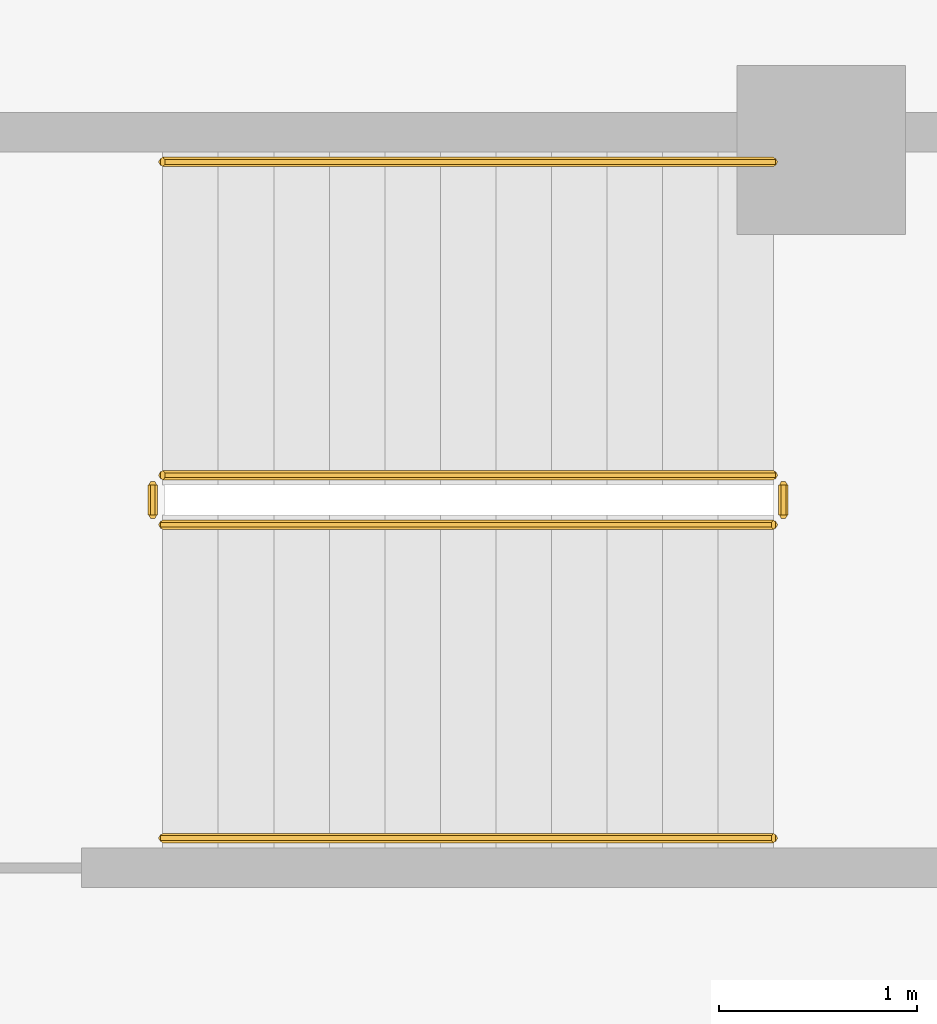
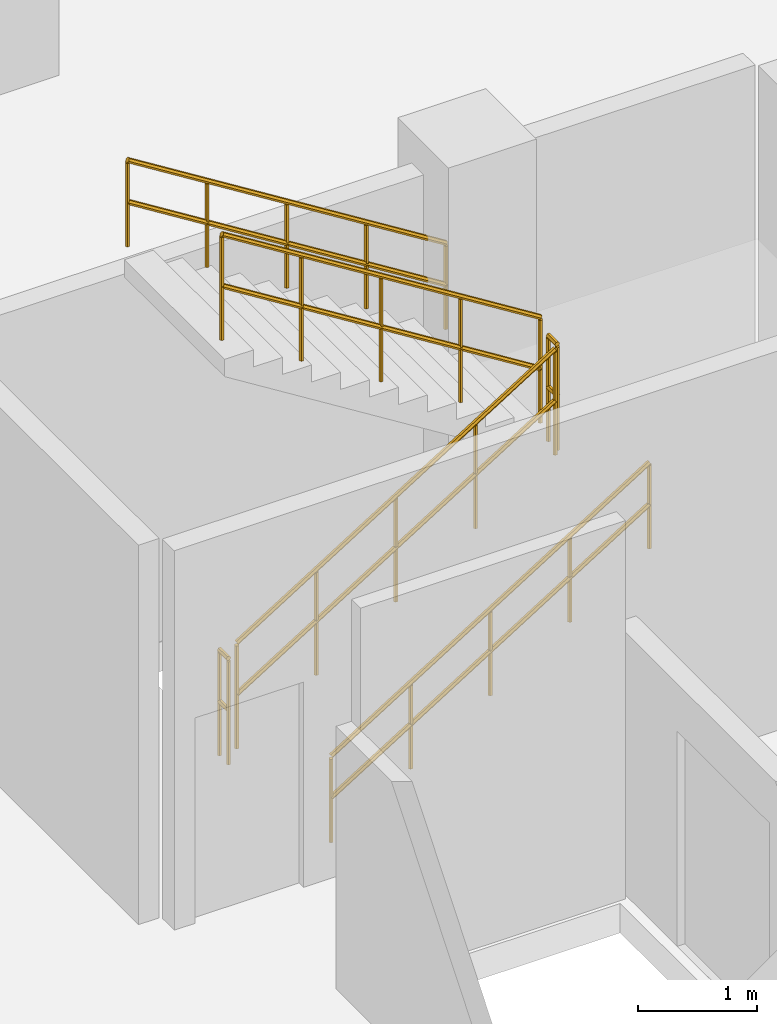
# One storey, part 20 of 20: 6 railings.
"""IFC4 building model written with IfcOpenShell, lengths in metres."""

import ifcopenshell
import ifcopenshell.guid

model = None  # the IFC model being written
_history = None  # IfcOwnerHistory: only IFC2X3 demands one
_inside = {}  # id of a spatial element -> (the spatial element, [elements in it])
_under = {}  # id of a project, library or spatial element -> (it, [spatial elements below it])
_declared = {}  # id of a project -> (the project, [libraries it declares])
_typed = {}  # id of a type object -> (the type object, [elements of that type])
_made_of = {}  # id of a material, layer set ... -> (it, [elements and type objects made of it])


def new_model(schema):
    """Start an empty IFC model of exactly this schema.

    Asked for "IFC4X3", IfcOpenShell would pick the latest addendum, in which some entities
    have other attributes; the version numbers below select the first issue.
    IFC2X3 requires an IfcOwnerHistory on every rooted entity: one is made here for all.
    """
    global model, _history
    if schema == "IFC4X3":
        model = ifcopenshell.file(schema_version=(4, 3, 0, 0))
    else:
        model = ifcopenshell.file(schema=schema)
    _inside.clear()
    _under.clear()
    _declared.clear()
    _typed.clear()
    _made_of.clear()
    _history = None
    if model.schema == "IFC2X3":
        org = make("IfcOrganization", Name="unknown")
        user = make(
            "IfcPersonAndOrganization",
            ThePerson=make("IfcPerson", FamilyName="unknown"),
            TheOrganization=org,
        )
        app = make(
            "IfcApplication",
            ApplicationDeveloper=org,
            Version="unknown",
            ApplicationFullName="unknown",
            ApplicationIdentifier="unknown",
        )
        _history = make(
            "IfcOwnerHistory",
            OwningUser=user,
            OwningApplication=app,
            ChangeAction="ADDED",
            CreationDate=0,
        )
    return model


def make(cls, **values):
    """One entity of the class cls with the attributes given. An attribute that is None is left unset."""
    return model.create_entity(
        cls, **{name: value for name, value in values.items() if value is not None}
    )


def rooted(cls, **values):
    """An entity with a GlobalId (a new one), such as an element, a storey or a relation."""
    return make(cls, GlobalId=ifcopenshell.guid.new(), OwnerHistory=_history, **values)


def si_unit(unit_type, name, prefix=None):
    """IfcSIUnit, for example si_unit("LENGTHUNIT", "METRE", prefix="MILLI")."""
    return make("IfcSIUnit", UnitType=unit_type, Prefix=prefix, Name=name)


def assignment(units):
    """IfcUnitAssignment: the units of a project."""
    return None if units is None else make("IfcUnitAssignment", Units=units)


def point(xyz):
    """IfcCartesianPoint."""
    return None if xyz is None else make("IfcCartesianPoint", Coordinates=xyz)


def direction(xyz):
    """IfcDirection."""
    return None if xyz is None else make("IfcDirection", DirectionRatios=xyz)


def frame(location, z_axis=None, x_axis=None):
    """IfcAxis2Placement3D, a coordinate frame: its origin and axes. An axis left out is left unset."""
    return make(
        "IfcAxis2Placement3D",
        Location=point(location),
        Axis=direction(z_axis),
        RefDirection=direction(x_axis),
    )


def origin():
    """The frame at (0, 0, 0) with its axes left unset."""
    return frame((0.0, 0.0, 0.0))


def place(relative_to, where):
    """IfcLocalPlacement: puts the frame where relative to a parent placement (None: the world)."""
    return make(
        "IfcLocalPlacement", PlacementRelTo=relative_to, RelativePlacement=where
    )


def context(
    kind, dimensions, precision=None, world=None, true_north=None, identifier=None
):
    """IfcGeometricRepresentationContext, for example the 3D "Model" context."""
    return make(
        "IfcGeometricRepresentationContext",
        ContextIdentifier=identifier,
        ContextType=kind,
        CoordinateSpaceDimension=dimensions,
        Precision=precision,
        WorldCoordinateSystem=world,
        TrueNorth=true_north,
    )


def subcontext(parent, identifier, kind, view, scale=None):
    """IfcGeometricRepresentationSubContext, for example "Body" below "Model"."""
    return make(
        "IfcGeometricRepresentationSubContext",
        ContextIdentifier=identifier,
        ContextType=kind,
        ParentContext=parent,
        TargetScale=scale,
        TargetView=view,
    )


def project(units=None, contexts=None):
    """IfcProject with its units and contexts."""
    return rooted(
        "IfcProject",
        Name="project",
        RepresentationContexts=contexts,
        UnitsInContext=assignment(units),
    )


def spatial(cls, under=None, at=None, **own):
    """A site, building, storey or space (cls), placed at a placement, below another one or the project."""
    s = rooted(cls, ObjectPlacement=at, **own)
    if under is not None:
        _under.setdefault(under.id(), (under, []))[1].append(s)
    return s


def polyline(points):
    """IfcPolyline through the points."""
    return make("IfcPolyline", Points=[point(p) for p in points])


def outline(outer, holes=None, kind="AREA"):
    """IfcArbitraryClosedProfileDef: a profile drawn as a closed curve; with holes, ...WithVoids."""
    if holes is None:
        return make("IfcArbitraryClosedProfileDef", ProfileType=kind, OuterCurve=outer)
    return make(
        "IfcArbitraryProfileDefWithVoids",
        ProfileType=kind,
        OuterCurve=outer,
        InnerCurves=holes,
    )


def extrude(swept, where, along, depth):
    """IfcExtrudedAreaSolid: the profile swept, set in the frame where, extruded along a direction by depth."""
    return make(
        "IfcExtrudedAreaSolid",
        SweptArea=swept,
        Position=where,
        ExtrudedDirection=direction(along),
        Depth=depth,
    )


def shape(context_of_items, identifier, shape_type, items):
    """IfcShapeRepresentation: the items that make up one representation, for example the "Body"."""
    return make(
        "IfcShapeRepresentation",
        ContextOfItems=context_of_items,
        RepresentationIdentifier=identifier,
        RepresentationType=shape_type,
        Items=items,
    )


def material(Name=None, Category=None):
    """IfcMaterial."""
    return make("IfcMaterial", Name=Name, Category=Category)


def made_of(thing, what):
    """Note that an element or type object is made of a material, layer set ...; save() writes the relation."""
    if what is not None:
        _made_of.setdefault(what.id(), (what, []))[1].append(thing)
    return thing


def type_object(cls, material=None, **own):
    """A type object (cls), such as IfcWallType, which elements share."""
    return made_of(rooted(cls, **own), material)


def element(
    cls,
    number,
    at=None,
    inside=None,
    cuts=None,
    type_object=None,
    material=None,
    context=None,
    identifier="Body",
    shape_type=None,
    held_by="IfcProductDefinitionShape",
    body=None,
    shapes=None,
    **own,
):
    """One element of the class cls, such as IfcWall. Its Tag is "e" and its number.

    at: its placement. inside: the storey or other place that contains it. cuts: it is an
    opening in that element (IfcRelVoidsElement). A single representation is given by context,
    identifier, shape_type and body (its items); several are given by shapes. held_by: the class
    of the entity that holds the representations. save() writes the other relations.
    """
    e = rooted(cls, Tag="e%d" % number, ObjectPlacement=at, **own)
    if body is not None:
        shapes = [shape(context, identifier, shape_type, body)]
    if shapes is not None:
        e.Representation = make(held_by, Representations=shapes)
    if inside is not None:
        _inside.setdefault(inside.id(), (inside, []))[1].append(e)
    if cuts is not None:
        rooted(
            "IfcRelVoidsElement", RelatingBuildingElement=cuts, RelatedOpeningElement=e
        )
    if type_object is not None:
        _typed.setdefault(type_object.id(), (type_object, []))[1].append(e)
    return made_of(e, material)


def aggregate(whole, parts):
    """IfcRelAggregates: a whole, such as a stair, and the parts it consists of."""
    return rooted("IfcRelAggregates", RelatingObject=whole, RelatedObjects=parts)


def save(model, path):
    """Write the relations noted so far, then the file.

    IfcRelAggregates (storeys below a building ...), IfcRelContainedInSpatialStructure (elements
    in a storey), IfcRelDefinesByType, IfcRelAssociatesMaterial and IfcRelDeclares: one each for
    every whole, place, type object, material and project.
    """
    for whole, parts in _under.values():
        aggregate(whole, parts)
    for where, things in _inside.values():
        rooted(
            "IfcRelContainedInSpatialStructure",
            RelatedElements=things,
            RelatingStructure=where,
        )
    for kind, things in _typed.values():
        rooted("IfcRelDefinesByType", RelatedObjects=things, RelatingType=kind)
    for what, things in _made_of.values():
        rooted("IfcRelAssociatesMaterial", RelatedObjects=things, RelatingMaterial=what)
    for by, libraries in _declared.values():
        rooted("IfcRelDeclares", RelatingContext=by, RelatedDefinitions=libraries)
    model.write(path)


model = new_model("IFC4")

# Units and contexts
model_context = context("Model", 3, precision=1e-05, world=origin(), true_north=direction((0.0, 1.0)))
body_context = subcontext(model_context, "Body", "Model", "MODEL_VIEW")
ifc_project = project(units=[si_unit("LENGTHUNIT", "METRE"), si_unit("AREAUNIT", "SQUARE_METRE"), si_unit("VOLUMEUNIT", "CUBIC_METRE"), si_unit("PLANEANGLEUNIT", "RADIAN"), si_unit("MASSUNIT", "GRAM", prefix="KILO")], contexts=[model_context])

# Site, building, storey
site_placement = place(None, origin())
site = spatial("IfcSite", under=ifc_project, at=site_placement, CompositionType="ELEMENT")
building_placement = place(site_placement, origin())
building = spatial("IfcBuilding", under=site, at=building_placement, Name="Kelanora Arch Commons", CompositionType="ELEMENT")
storey_placement = place(building_placement, frame((0.0, 0.0, -4.199951171875)))
storey = spatial("IfcBuildingStorey", under=building, at=storey_placement, Name="B01", CompositionType="ELEMENT", Elevation=-4.199951171875)

# Railings
ifc_material_1 = material(Name="Painted steel stair well guard", Category="steel")
railing_type_1 = type_object("IfcRailingType", Name="RAIL-STAIR-GRD", PredefinedType="GUARDRAIL", material=ifc_material_1)
railing_1_placement = place(storey_placement, frame((8.679931640625, 72.110107421875, 0.175048828125)))
element("IfcRailing", 1, at=railing_1_placement, inside=storey, type_object=railing_type_1, Name="B01 ST-M3 stair guard 1", PredefinedType="GUARDRAIL", context=body_context, shape_type="SweptSolid", body=[
    extrude(outline(polyline([(0.02392578125, 0.0), (0.011962890625, 0.020751953125), (-0.011962890625, 0.020751953125), (-0.02392578125, 0.0), (-0.011962890625, -0.020751953125), (0.011962890625, -0.020751953125), (0.02392578125, 0.0)])), frame((0.0, 0.0, 1.076171875), z_axis=(0.848028513186, 0.0, 0.529950602248), x_axis=(0.0, 1.0, 0.0)), (0.0, 0.0, 1.0), 3.632080078125),
    extrude(outline(polyline([(0.02392578125, 0.0), (0.011962890625, 0.020751953125), (-0.011962890625, 0.020751953125), (-0.02392578125, 0.0), (-0.011962890625, -0.020751953125), (0.011962890625, -0.020751953125), (0.02392578125, 0.0)])), frame((0.0, 0.0, 0.550048828125), z_axis=(0.848028513186, 0.0, 0.529950602248), x_axis=(0.0, 1.0, 0.0)), (0.0, 0.0, 1.0), 3.632080078125),
    extrude(outline(polyline([(0.02099609375, 0.0), (0.010498046875, 0.01806640625), (-0.010498046875, 0.01806640625), (-0.02099609375, 0.0), (-0.010498046875, -0.01806640625), (0.010498046875, -0.01806640625), (0.02099609375, 0.0)])), origin(), (0.0, 0.0, 1.0), 1.052001953125),
    extrude(outline(polyline([(0.02099609375, 0.0), (0.010498046875, 0.01806640625), (-0.010498046875, 0.01806640625), (-0.02099609375, 0.0), (-0.010498046875, -0.01806640625), (0.010498046875, -0.01806640625), (0.02099609375, 0.0)])), frame((0.77001953125, 0.0, 0.481201171875)), (0.0, 0.0, 1.0), 1.052001953125),
    extrude(outline(polyline([(0.02099609375, 0.0), (0.010498046875, 0.01806640625), (-0.010498046875, 0.01806640625), (-0.02099609375, 0.0), (-0.010498046875, -0.01806640625), (0.010498046875, -0.01806640625), (0.02099609375, 0.0)])), frame((1.5400390625, 0.0, 0.96240234375)), (0.0, 0.0, 1.0), 1.052001953125),
    extrude(outline(polyline([(0.02099609375, 0.0), (0.010498046875, 0.01806640625), (-0.010498046875, 0.01806640625), (-0.02099609375, 0.0), (-0.010498046875, -0.01806640625), (0.010498046875, -0.01806640625), (0.02099609375, 0.0)])), frame((2.31005859375, 0.0, 1.443603515625)), (0.0, 0.0, 1.0), 1.052001953125),
    extrude(outline(polyline([(0.02099609375, 0.0), (0.010498046875, 0.01806640625), (-0.010498046875, 0.01806640625), (-0.02099609375, 0.0), (-0.010498046875, -0.01806640625), (0.010498046875, -0.01806640625), (0.02099609375, 0.0)])), frame((3.080078125, 0.0, 1.9248046875)), (0.0, 0.0, 1.0), 1.052001953125),
])
railing_2_placement = place(storey_placement, frame((11.81005859375, 72.159912109375, 2.099853515625)))
element("IfcRailing", 2, at=railing_2_placement, inside=storey, type_object=railing_type_1, Name="B01 ST-M3 stair guard 2", PredefinedType="GUARDRAIL", context=body_context, shape_type="SweptSolid", body=[
    extrude(outline(polyline([(0.02392578125, 0.0), (0.011962890625, 0.020751953125), (-0.011962890625, 0.020751953125), (-0.02392578125, 0.0), (-0.011962890625, -0.020751953125), (0.011962890625, -0.020751953125), (0.02392578125, 0.0)])), frame((0.0, 0.0, 1.076171875), z_axis=(0.0, 1.0, 0.0), x_axis=(-1.0, 0.0, 0.0)), (0.0, 0.0, 1.0), 0.150146484375),
    extrude(outline(polyline([(0.02392578125, 0.0), (0.011962890625, 0.020751953125), (-0.011962890625, 0.020751953125), (-0.02392578125, 0.0), (-0.011962890625, -0.020751953125), (0.011962890625, -0.020751953125), (0.02392578125, 0.0)])), frame((0.0, 0.0, 0.550048828125), z_axis=(0.0, 1.0, 0.0), x_axis=(-1.0, 0.0, 0.0)), (0.0, 0.0, 1.0), 0.150146484375),
    extrude(outline(polyline([(0.02099609375, 0.0), (0.010498046875, 0.01806640625), (-0.010498046875, 0.01806640625), (-0.02099609375, 0.0), (-0.010498046875, -0.01806640625), (0.010498046875, -0.01806640625), (0.02099609375, 0.0)])), origin(), (0.0, 0.0, 1.0), 1.052001953125),
    extrude(outline(polyline([(0.02099609375, 0.0), (0.010498046875, 0.01806640625), (-0.010498046875, 0.01806640625), (-0.02099609375, 0.0), (-0.010498046875, -0.01806640625), (0.010498046875, -0.01806640625), (0.02099609375, 0.0)])), frame((0.0, 0.150146484375, 0.0)), (0.0, 0.0, 1.0), 1.052001953125),
])
railing_3_placement = place(storey_placement, frame((11.760009765625, 72.360107421875, 2.27490234375)))
element("IfcRailing", 3, at=railing_3_placement, inside=storey, type_object=railing_type_1, Name="B01 ST-M3 stair guard 3", PredefinedType="GUARDRAIL", context=body_context, shape_type="SweptSolid", body=[
    extrude(outline(polyline([(0.02392578125, 0.0), (0.011962890625, 0.020751953125), (-0.011962890625, 0.020751953125), (-0.02392578125, 0.0), (-0.011962890625, -0.020751953125), (0.011962890625, -0.020751953125), (0.02392578125, 0.0)])), frame((0.0, 0.0, 1.076171875), z_axis=(-0.847998304005, 0.0, 0.529998940003), x_axis=(0.0, -1.0, 0.0)), (0.0, 0.0, 1.0), 3.632080078125),
    extrude(outline(polyline([(0.02392578125, 0.0), (0.011962890625, 0.020751953125), (-0.011962890625, 0.020751953125), (-0.02392578125, 0.0), (-0.011962890625, -0.020751953125), (0.011962890625, -0.020751953125), (0.02392578125, 0.0)])), frame((0.0, 0.0, 0.550048828125), z_axis=(-0.847998304005, 0.0, 0.529998940003), x_axis=(0.0, -1.0, 0.0)), (0.0, 0.0, 1.0), 3.632080078125),
    extrude(outline(polyline([(0.02099609375, 0.0), (0.010498046875, 0.01806640625), (-0.010498046875, 0.01806640625), (-0.02099609375, 0.0), (-0.010498046875, -0.01806640625), (0.010498046875, -0.01806640625), (0.02099609375, 0.0)])), origin(), (0.0, 0.0, 1.0), 1.052001953125),
    extrude(outline(polyline([(0.02099609375, 0.0), (0.010498046875, 0.01806640625), (-0.010498046875, 0.01806640625), (-0.02099609375, 0.0), (-0.010498046875, -0.01806640625), (0.010498046875, -0.01806640625), (0.02099609375, 0.0)])), frame((-0.77001953125, 0.0, 0.481201171875)), (0.0, 0.0, 1.0), 1.052001953125),
    extrude(outline(polyline([(0.02099609375, 0.0), (0.010498046875, 0.01806640625), (-0.010498046875, 0.01806640625), (-0.02099609375, 0.0), (-0.010498046875, -0.01806640625), (0.010498046875, -0.01806640625), (0.02099609375, 0.0)])), frame((-1.5400390625, 0.0, 0.96240234375)), (0.0, 0.0, 1.0), 1.052001953125),
    extrude(outline(polyline([(0.02099609375, 0.0), (0.010498046875, 0.01806640625), (-0.010498046875, 0.01806640625), (-0.02099609375, 0.0), (-0.010498046875, -0.01806640625), (0.010498046875, -0.01806640625), (0.02099609375, 0.0)])), frame((-2.31005859375, 0.0, 1.44384765625)), (0.0, 0.0, 1.0), 1.052001953125),
    extrude(outline(polyline([(0.02099609375, 0.0), (0.010498046875, 0.01806640625), (-0.010498046875, 0.01806640625), (-0.02099609375, 0.0), (-0.010498046875, -0.01806640625), (0.010498046875, -0.01806640625), (0.02099609375, 0.0)])), frame((-3.080078125, 0.0, 1.925048828125)), (0.0, 0.0, 1.0), 1.052001953125),
])
railing_4_placement = place(storey_placement, frame((8.6298828125, 72.159912109375, 0.0)))
element("IfcRailing", 4, at=railing_4_placement, inside=storey, type_object=railing_type_1, Name="B01 ST-M3 stair guard 4", PredefinedType="GUARDRAIL", context=body_context, shape_type="SweptSolid", body=[
    extrude(outline(polyline([(0.02392578125, 0.0), (0.011962890625, 0.020751953125), (-0.011962890625, 0.020751953125), (-0.02392578125, 0.0), (-0.011962890625, -0.020751953125), (0.011962890625, -0.020751953125), (0.02392578125, 0.0)])), frame((0.0, 0.0, 1.076171875), z_axis=(0.0, 1.0, 0.0), x_axis=(-1.0, 0.0, 0.0)), (0.0, 0.0, 1.0), 0.150146484375),
    extrude(outline(polyline([(0.02392578125, 0.0), (0.011962890625, 0.020751953125), (-0.011962890625, 0.020751953125), (-0.02392578125, 0.0), (-0.011962890625, -0.020751953125), (0.011962890625, -0.020751953125), (0.02392578125, 0.0)])), frame((0.0, 0.0, 0.550048828125), z_axis=(0.0, 1.0, 0.0), x_axis=(-1.0, 0.0, 0.0)), (0.0, 0.0, 1.0), 0.150146484375),
    extrude(outline(polyline([(0.02099609375, 0.0), (0.010498046875, 0.01806640625), (-0.010498046875, 0.01806640625), (-0.02099609375, 0.0), (-0.010498046875, -0.01806640625), (0.010498046875, -0.01806640625), (0.02099609375, 0.0)])), origin(), (0.0, 0.0, 1.0), 1.052001953125),
    extrude(outline(polyline([(0.02099609375, 0.0), (0.010498046875, 0.01806640625), (-0.010498046875, 0.01806640625), (-0.02099609375, 0.0), (-0.010498046875, -0.01806640625), (0.010498046875, -0.01806640625), (0.02099609375, 0.0)])), frame((0.0, 0.150146484375, 0.0)), (0.0, 0.0, 1.0), 1.052001953125),
])
ifc_material_2 = material(Name="Brushed stainless steel stair handrail", Category="steel")
railing_type_2 = type_object("IfcRailingType", Name="RAIL-STAIR-HND", PredefinedType="HANDRAIL", material=ifc_material_2)
railing_5_placement = place(storey_placement, frame((8.679931640625, 70.530029296875, 0.175048828125)))
element("IfcRailing", 5, at=railing_5_placement, inside=storey, type_object=railing_type_2, Name="B01 ST-M3 stair handrail 1", PredefinedType="HANDRAIL", context=body_context, shape_type="SweptSolid", body=[
    extrude(outline(polyline([(0.02392578125, 0.0), (0.011962890625, 0.020751953125), (-0.011962890625, 0.020751953125), (-0.02392578125, 0.0), (-0.011962890625, -0.020751953125), (0.011962890625, -0.020751953125), (0.02392578125, 0.0)])), frame((0.0, 0.0, 0.8759765625), z_axis=(0.848028513186, 0.0, 0.529950602248), x_axis=(0.0, 1.0, 0.0)), (0.0, 0.0, 1.0), 3.632080078125),
    extrude(outline(polyline([(0.02392578125, 0.0), (0.011962890625, 0.020751953125), (-0.011962890625, 0.020751953125), (-0.02392578125, 0.0), (-0.011962890625, -0.020751953125), (0.011962890625, -0.020751953125), (0.02392578125, 0.0)])), frame((0.0, 0.0, 0.449951171875), z_axis=(0.848028513186, 0.0, 0.529950602248), x_axis=(0.0, 1.0, 0.0)), (0.0, 0.0, 1.0), 3.632080078125),
    extrude(outline(polyline([(0.02099609375, 0.0), (0.010498046875, 0.01806640625), (-0.010498046875, 0.01806640625), (-0.02099609375, 0.0), (-0.010498046875, -0.01806640625), (0.010498046875, -0.01806640625), (0.02099609375, 0.0)])), origin(), (0.0, 0.0, 1.0), 0.851806640625),
    extrude(outline(polyline([(0.02099609375, 0.0), (0.010498046875, 0.01806640625), (-0.010498046875, 0.01806640625), (-0.02099609375, 0.0), (-0.010498046875, -0.01806640625), (0.010498046875, -0.01806640625), (0.02099609375, 0.0)])), frame((0.77001953125, 0.0, 0.481201171875)), (0.0, 0.0, 1.0), 0.851806640625),
    extrude(outline(polyline([(0.02099609375, 0.0), (0.010498046875, 0.01806640625), (-0.010498046875, 0.01806640625), (-0.02099609375, 0.0), (-0.010498046875, -0.01806640625), (0.010498046875, -0.01806640625), (0.02099609375, 0.0)])), frame((1.5400390625, 0.0, 0.96240234375)), (0.0, 0.0, 1.0), 0.851806640625),
    extrude(outline(polyline([(0.02099609375, 0.0), (0.010498046875, 0.01806640625), (-0.010498046875, 0.01806640625), (-0.02099609375, 0.0), (-0.010498046875, -0.01806640625), (0.010498046875, -0.01806640625), (0.02099609375, 0.0)])), frame((2.31005859375, 0.0, 1.443603515625)), (0.0, 0.0, 1.0), 0.851806640625),
    extrude(outline(polyline([(0.02099609375, 0.0), (0.010498046875, 0.01806640625), (-0.010498046875, 0.01806640625), (-0.02099609375, 0.0), (-0.010498046875, -0.01806640625), (0.010498046875, -0.01806640625), (0.02099609375, 0.0)])), frame((3.080078125, 0.0, 1.9248046875)), (0.0, 0.0, 1.0), 0.851806640625),
])
railing_6_placement = place(storey_placement, frame((11.760009765625, 73.93994140625, 2.27490234375)))
element("IfcRailing", 6, at=railing_6_placement, inside=storey, type_object=railing_type_2, Name="B01 ST-M3 stair handrail 2", PredefinedType="HANDRAIL", context=body_context, shape_type="SweptSolid", body=[
    extrude(outline(polyline([(0.02392578125, 0.0), (0.011962890625, 0.020751953125), (-0.011962890625, 0.020751953125), (-0.02392578125, 0.0), (-0.011962890625, -0.020751953125), (0.011962890625, -0.020751953125), (0.02392578125, 0.0)])), frame((0.0, 0.0, 0.8759765625), z_axis=(-0.847998304005, 0.0, 0.529998940003), x_axis=(0.0, -1.0, 0.0)), (0.0, 0.0, 1.0), 3.632080078125),
    extrude(outline(polyline([(0.02392578125, 0.0), (0.011962890625, 0.020751953125), (-0.011962890625, 0.020751953125), (-0.02392578125, 0.0), (-0.011962890625, -0.020751953125), (0.011962890625, -0.020751953125), (0.02392578125, 0.0)])), frame((0.0, 0.0, 0.449951171875), z_axis=(-0.847998304005, 0.0, 0.529998940003), x_axis=(0.0, -1.0, 0.0)), (0.0, 0.0, 1.0), 3.632080078125),
    extrude(outline(polyline([(0.02099609375, 0.0), (0.010498046875, 0.01806640625), (-0.010498046875, 0.01806640625), (-0.02099609375, 0.0), (-0.010498046875, -0.01806640625), (0.010498046875, -0.01806640625), (0.02099609375, 0.0)])), origin(), (0.0, 0.0, 1.0), 0.851806640625),
    extrude(outline(polyline([(0.02099609375, 0.0), (0.010498046875, 0.01806640625), (-0.010498046875, 0.01806640625), (-0.02099609375, 0.0), (-0.010498046875, -0.01806640625), (0.010498046875, -0.01806640625), (0.02099609375, 0.0)])), frame((-0.77001953125, 0.0, 0.481201171875)), (0.0, 0.0, 1.0), 0.851806640625),
    extrude(outline(polyline([(0.02099609375, 0.0), (0.010498046875, 0.01806640625), (-0.010498046875, 0.01806640625), (-0.02099609375, 0.0), (-0.010498046875, -0.01806640625), (0.010498046875, -0.01806640625), (0.02099609375, 0.0)])), frame((-1.5400390625, 0.0, 0.96240234375)), (0.0, 0.0, 1.0), 0.851806640625),
    extrude(outline(polyline([(0.02099609375, 0.0), (0.010498046875, 0.01806640625), (-0.010498046875, 0.01806640625), (-0.02099609375, 0.0), (-0.010498046875, -0.01806640625), (0.010498046875, -0.01806640625), (0.02099609375, 0.0)])), frame((-2.31005859375, 0.0, 1.44384765625)), (0.0, 0.0, 1.0), 0.851806640625),
    extrude(outline(polyline([(0.02099609375, 0.0), (0.010498046875, 0.01806640625), (-0.010498046875, 0.01806640625), (-0.02099609375, 0.0), (-0.010498046875, -0.01806640625), (0.010498046875, -0.01806640625), (0.02099609375, 0.0)])), frame((-3.080078125, 0.0, 1.925048828125)), (0.0, 0.0, 1.0), 0.851806640625),
])

save(model, "model.ifc")
